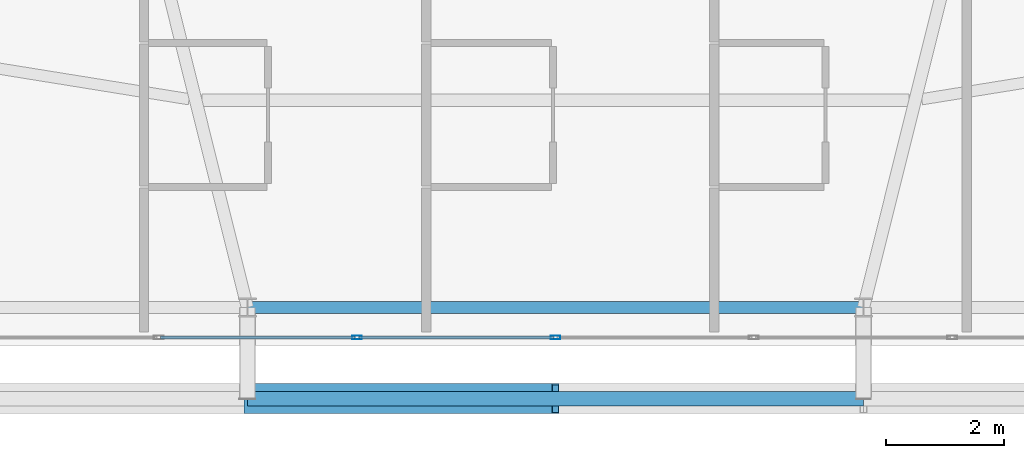
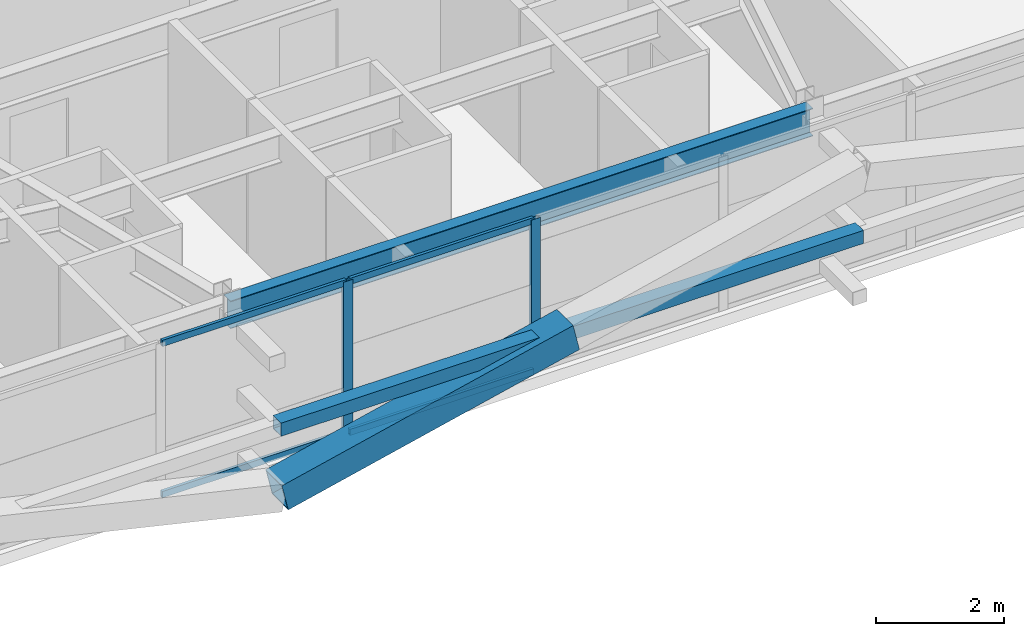
# One storey, part 12 of 59: 8 members, 1 beam, 1 element without a shape of its own.
"""IFC4 building model written with IfcOpenShell, lengths in metres."""

from ifc_helpers import new_model, si_unit, direction, frame, origin, origin_2d, place, context, subcontext, project, spatial, hollow_rectangle, i_section, extrude, source, transform, mapped, material, layer, layer_set, material_profile, profile_set, type_object, element, aggregate, save


model = new_model("IFC4")

# Units and contexts
model_context = context("Model", 3, precision=1e-05, world=origin(), true_north=direction((0.0, 1.0)))
body_context = subcontext(model_context, "Body", "Model", "MODEL_VIEW")
ifc_project = project(units=[si_unit("LENGTHUNIT", "METRE"), si_unit("AREAUNIT", "SQUARE_METRE"), si_unit("VOLUMEUNIT", "CUBIC_METRE"), si_unit("PLANEANGLEUNIT", "RADIAN"), si_unit("MASSUNIT", "GRAM", prefix="KILO")], contexts=[model_context])

# Site, building, storey
site_placement = place(None, origin())
site = spatial("IfcSite", under=ifc_project, at=site_placement, CompositionType="ELEMENT")
building_placement = place(site_placement, origin())
building = spatial("IfcBuilding", under=site, at=building_placement, Name="Taldren Reach Tower", CompositionType="ELEMENT")
storey_placement = place(building_placement, frame((0.0, 0.0, 48.300048828125)))
storey = spatial("IfcBuildingStorey", under=building, at=storey_placement, Name="L14", CompositionType="ELEMENT", Elevation=48.300048828125)

# Beam
ifc_material_1 = material(Name="Steel Gr 350 (350PLUS)", Category="steel")
ifc_material_profile_1 = material_profile(ifc_material_1, i_section(OverallWidth=0.208984375, OverallDepth=0.528076171875, WebThickness=0.009521484375, FlangeThickness=0.01318359375, at=origin_2d()), Name="530UB82.0")
ifc_profile_set_1 = profile_set([ifc_material_profile_1], Name="Steel Gr 350 (350PLUS)")
beam_type = type_object("IfcBeamType", Name="SP-UB530B", PredefinedType="SPANDREL", material=ifc_profile_set_1)
shared_shape_1 = source(origin(), body_context, "Body", "SweptSolid", [
    extrude(i_section(OverallWidth=0.208984375, OverallDepth=0.528076171875, WebThickness=0.009521484375, FlangeThickness=0.01318359375, at=origin_2d()), origin(), (0.0, 0.0, 1.0), 10.47998046875),
])
beam_placement = place(storey_placement, frame((29.760009765625, 2.14990234375, 2.666015625), z_axis=(1.0, 0.0, 0.0), x_axis=(0.0, 1.0, 0.0)))
element("IfcBeam", 1, at=beam_placement, inside=storey, type_object=beam_type, Name="Perimeter spandrel B1 S3-S4 L14", PredefinedType="SPANDREL", context=body_context, shape_type="MappedRepresentation", body=[
    mapped(shared_shape_1, transform((0.0, 0.0, 0.0), scale=1.0)),
])

# Members
ifc_material_2 = material(Name="Steel Gr 450 (C450L0)", Category="steel")
ifc_material_profile_2 = material_profile(ifc_material_2, hollow_rectangle(XDim=0.510009765625, YDim=0.510009765625, WallThickness=0.02001953125, at=origin_2d()), Name="510x510x20.0SHS")
ifc_profile_set_2 = profile_set([ifc_material_profile_2], Name="Steel Gr 450 (C450L0)")
member_type_1 = type_object("IfcMemberType", Name="MB-EXO508", PredefinedType="BRACE", material=ifc_profile_set_2)
shared_shape_2 = source(origin(), body_context, "Body", "SweptSolid", [
    extrude(hollow_rectangle(XDim=0.510009765625, YDim=0.510009765625, WallThickness=0.02001953125, at=origin_2d()), origin(), (0.0, 0.0, 1.0), 5.37890625),
])
member_1_placement = place(storey_placement, frame((29.760009765625, 0.60009765625, 0.219970703125), z_axis=(0.97415197996, 0.0, 0.225893603143), x_axis=(0.0, 1.0, 0.0)))
element("IfcMember", 2, at=member_1_placement, inside=storey, type_object=member_type_1, Name="Exoskeleton Diagrid Brace B1-S3 L14", PredefinedType="BRACE", context=body_context, shape_type="MappedRepresentation", body=[
    mapped(shared_shape_2, transform((0.0, 0.0, 0.0), scale=1.0)),
])
ifc_material_3 = material(Name="Steel Gr 350 (C350L0)", Category="steel")
ifc_material_profile_3 = material_profile(ifc_material_3, hollow_rectangle(XDim=0.25, YDim=0.25, WallThickness=0.010009765625, at=origin_2d()), Name="250x250x10.0SHS")
ifc_profile_set_3 = profile_set([ifc_material_profile_3], Name="Steel Gr 350 (C350L0)")
member_type_2 = type_object("IfcMemberType", Name="MB-POST250", PredefinedType="POST", material=ifc_profile_set_3)
shared_shape_3 = source(origin(), body_context, "Body", "SweptSolid", [
    extrude(hollow_rectangle(XDim=0.25, YDim=0.25, WallThickness=0.010009765625, at=origin_2d()), origin(), (0.0, 0.0, 1.0), 10.47998046875),
])
member_2_placement = place(storey_placement, frame((29.760009765625, 0.60009765625, 1.43505859375), z_axis=(1.0, 0.0, 0.0), x_axis=(0.0, 1.0, 0.0)))
element("IfcMember", 3, at=member_2_placement, inside=storey, type_object=member_type_2, Name="Exoskeleton mid-height ring chord B1-S3 L14", PredefinedType="POST", context=body_context, shape_type="MappedRepresentation", body=[
    mapped(shared_shape_3, transform((0.0, 0.0, 0.0), scale=1.0)),
])

# Curtain wall, members
ifc_material_4 = material(Name="Aluminium and Low-E Glass Unitised System", Category="aluminium")
ifc_layer = layer(ifc_material_4, 0.159912109375)
ifc_layer_set = layer_set([ifc_layer], Name="Aluminium and Low-E Glass Unitised System")
curtain_wall_type = type_object("IfcCurtainWallType", Name="CW-SYS-2", PredefinedType="NOTDEFINED", material=ifc_layer_set)
curtain_wall_placement = place(storey_placement, origin())
curtain_wall = element("IfcCurtainWall", 4, at=curtain_wall_placement, inside=storey, type_object=curtain_wall_type, Name="Unitised curtain wall CW-L14-S", PredefinedType="NOTDEFINED")
ifc_material_5 = material(Name="Anodised Aluminium 6063-T6", Category="aluminium")
ifc_material_profile_4 = material_profile(ifc_material_5, hollow_rectangle(XDim=0.06494140625, YDim=0.1650390625, WallThickness=0.00390625, at=origin_2d()), Name="ALU-165x65x4RHS")
ifc_profile_set_4 = profile_set([ifc_material_profile_4], Name="Anodised Aluminium 6063-T6")
member_type_3 = type_object("IfcMemberType", Name="CW-MUL-165", PredefinedType="MULLION", material=ifc_profile_set_4)
shared_shape_4 = source(origin(), body_context, "Body", "SweptSolid", [
    extrude(hollow_rectangle(XDim=0.06494140625, YDim=0.1650390625, WallThickness=0.00390625, at=origin_2d()), origin(), (0.0, 0.0, 1.0), 2.929931640625),
])
member_3_placement = place(storey_placement, frame((31.625, 1.639892578125, 0.0), z_axis=(0.0, 0.0, 1.0), x_axis=(0.0, 1.0, 0.0)))
member_3 = element("IfcMember", 5, at=member_3_placement, type_object=member_type_3, Name="CW-2 mullion 8", PredefinedType="MULLION", context=body_context, shape_type="MappedRepresentation", body=[
    mapped(shared_shape_4, transform((0.0, 0.0, 0.0), scale=1.0)),
])
member_4_placement = place(storey_placement, frame((35.0, 1.639892578125, 0.0), z_axis=(0.0, 0.0, 1.0), x_axis=(0.0, 1.0, 0.0)))
member_4 = element("IfcMember", 6, at=member_4_placement, type_object=member_type_3, Name="CW-2 mullion 9", PredefinedType="MULLION", context=body_context, shape_type="MappedRepresentation", body=[
    mapped(shared_shape_4, transform((0.0, 0.0, 0.0), scale=1.0)),
])
ifc_material_profile_5 = material_profile(ifc_material_5, hollow_rectangle(XDim=0.054931640625, YDim=0.1201171875, WallThickness=0.0029296875, at=origin_2d()), Name="ALU-120x55x3RHS")
ifc_profile_set_5 = profile_set([ifc_material_profile_5], Name="Anodised Aluminium 6063-T6")
member_type_4 = type_object("IfcMemberType", Name="CW-TRN-135", PredefinedType="USERDEFINED", material=ifc_profile_set_5)
shared_shape_5 = source(origin(), body_context, "Body", "SweptSolid", [
    extrude(hollow_rectangle(XDim=0.054931640625, YDim=0.1201171875, WallThickness=0.0029296875, at=origin_2d()), origin(), (0.0, 0.0, 1.0), 3.31005859375),
])
member_5_placement = place(storey_placement, frame((28.282470703125, 1.639892578125, 0.02734375), z_axis=(1.0, 0.0, 0.0), x_axis=(0.0, 1.0, 0.0)))
member_5 = element("IfcMember", 7, at=member_5_placement, type_object=member_type_4, Name="CW-2 transom 7.1", ObjectType="TRANSOM", PredefinedType="USERDEFINED", context=body_context, shape_type="MappedRepresentation", body=[
    mapped(shared_shape_5, transform((0.0, 0.0, 0.0), scale=1.0)),
])
member_6_placement = place(storey_placement, frame((28.282470703125, 1.639892578125, 2.90234375), z_axis=(1.0, 0.0, 0.0), x_axis=(0.0, 1.0, 0.0)))
member_6 = element("IfcMember", 8, at=member_6_placement, type_object=member_type_4, Name="CW-2 transom 7.2", ObjectType="TRANSOM", PredefinedType="USERDEFINED", context=body_context, shape_type="MappedRepresentation", body=[
    mapped(shared_shape_5, transform((0.0, 0.0, 0.0), scale=1.0)),
])
member_7_placement = place(storey_placement, frame((31.657470703125, 1.639892578125, 0.02734375), z_axis=(1.0, 0.0, 0.0), x_axis=(0.0, 1.0, 0.0)))
member_7 = element("IfcMember", 9, at=member_7_placement, type_object=member_type_4, Name="CW-2 transom 8.1", ObjectType="TRANSOM", PredefinedType="USERDEFINED", context=body_context, shape_type="MappedRepresentation", body=[
    mapped(shared_shape_5, transform((0.0, 0.0, 0.0), scale=1.0)),
])
member_8_placement = place(storey_placement, frame((31.657470703125, 1.639892578125, 2.90234375), z_axis=(1.0, 0.0, 0.0), x_axis=(0.0, 1.0, 0.0)))
member_8 = element("IfcMember", 10, at=member_8_placement, type_object=member_type_4, Name="CW-2 transom 8.2", ObjectType="TRANSOM", PredefinedType="USERDEFINED", context=body_context, shape_type="MappedRepresentation", body=[
    mapped(shared_shape_5, transform((0.0, 0.0, 0.0), scale=1.0)),
])
aggregate(curtain_wall, [member_3, member_4, member_5, member_6, member_7, member_8])

save(model, "model.ifc")
